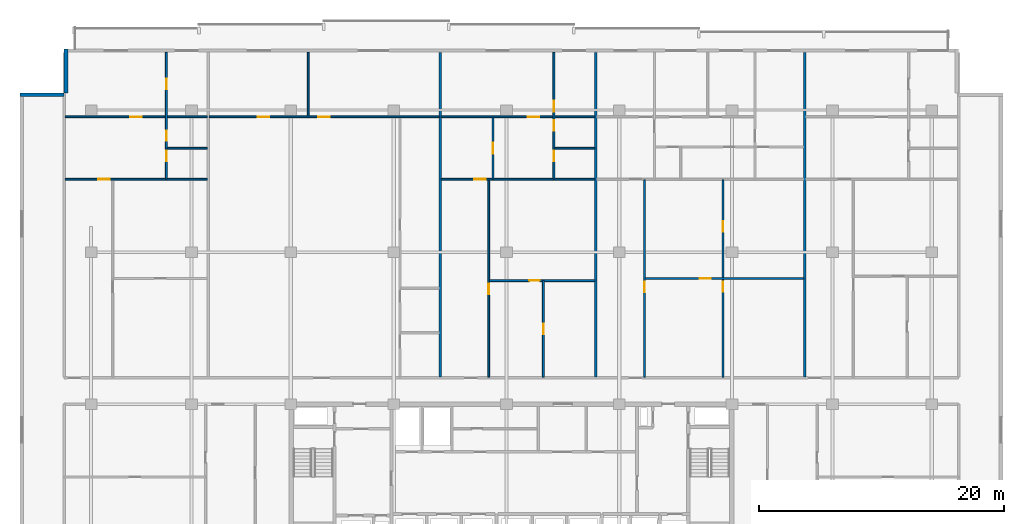
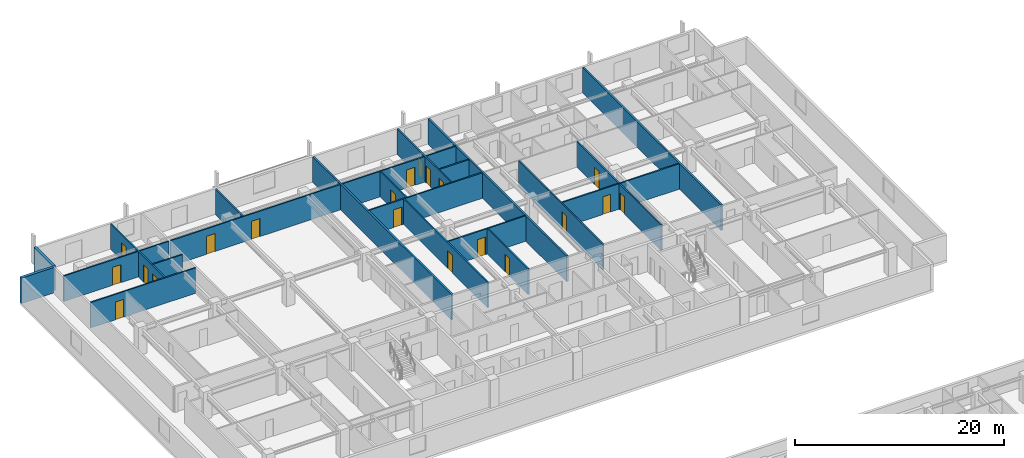
# One storey, part 14 of 22: 22 walls, 20 doors, 20 openings.
"""IFC4 building model written with IfcOpenShell, lengths in metres."""

from ifc_helpers import new_model, si_unit, direction, frame, frame_2d, origin, place, context, subcontext, project, spatial, rectangle, extrude, material, layer, layer_set, type_object, element, fill, save


model = new_model("IFC4")

# Units and contexts
model_context = context("Model", 3, precision=1e-05, world=origin(), true_north=direction((0.0, 1.0)))
body_context = subcontext(model_context, "Body", "Model", "MODEL_VIEW")
ifc_project = project(units=[si_unit("LENGTHUNIT", "METRE"), si_unit("AREAUNIT", "SQUARE_METRE"), si_unit("VOLUMEUNIT", "CUBIC_METRE"), si_unit("PLANEANGLEUNIT", "RADIAN"), si_unit("MASSUNIT", "GRAM", prefix="KILO")], contexts=[model_context])

# Site, building, storey
site_placement = place(None, origin())
site = spatial("IfcSite", under=ifc_project, at=site_placement, CompositionType="ELEMENT")
building_placement = place(site_placement, origin())
building = spatial("IfcBuilding", under=site, at=building_placement, Name="Korimba Cascade Residences", CompositionType="ELEMENT")
storey_placement = place(building_placement, frame((0.0, 0.0, 84.050048828125)))
storey = spatial("IfcBuildingStorey", under=building, at=storey_placement, Name="L23", CompositionType="ELEMENT", Elevation=84.050048828125)

# Walls
ifc_material_1 = material(Name="Precast concrete C40/50", Category="concrete")
ifc_layer_1 = layer(ifc_material_1, 0.300048828125)
ifc_layer_set_1 = layer_set([ifc_layer_1], Name="Precast concrete C40/50")
wall_type_1 = type_object("IfcWallType", Name="EW-STONE-300", PredefinedType="STANDARD", material=ifc_layer_set_1)
wall_1_placement = place(storey_placement, frame((57.75, 96.199951171875, 0.0), z_axis=(0.0, 0.0, 1.0), x_axis=(0.0, -1.0, 0.0)))
element("IfcWall", 1, at=wall_1_placement, inside=storey, type_object=wall_type_1, Name="L23 T1 Perimeter Stone Wall E07", PredefinedType="STANDARD", context=body_context, shape_type="SweptSolid", body=[
    extrude(rectangle(XDim=3.599853515625, YDim=0.300048828125, at=frame_2d((1.7998046875, 0.0))), origin(), (0.0, 0.0, 1.0), 2.969970703125),
])
wall_2_placement = place(storey_placement, frame((57.60009765625, 92.449951171875, 0.0), z_axis=(0.0, 0.0, 1.0), x_axis=(-1.0, 0.0, 0.0)))
element("IfcWall", 2, at=wall_2_placement, inside=storey, type_object=wall_type_1, Name="L23 T1 Perimeter Stone Wall E08", PredefinedType="STANDARD", context=body_context, shape_type="SweptSolid", body=[
    extrude(rectangle(XDim=3.60009765625, YDim=0.300048828125, at=frame_2d((1.800048828125, 0.0))), origin(), (0.0, 0.0, 1.0), 2.969970703125),
])
ifc_layer_2 = layer(ifc_material_1, 0.199951171875)
ifc_layer_set_2 = layer_set([ifc_layer_2], Name="Precast concrete C40/50")
wall_type_2 = type_object("IfcWallType", Name="WAL-IT-200", PredefinedType="PARTITIONING", material=ifc_layer_set_2)
for number, where, z_axis, x_axis, name in (
    (3, (88.28466796875, 69.429931640625, 0.0), (0.0, 0.0, 1.0), (0.0, 1.0, 0.0), "L23 Partition Wall WAL-L23-T1-DEM-2"),
    (4, (100.9873046875, 69.429931640625, 0.0), (0.0, 0.0, 1.0), (0.0, 1.0, 0.0), "L23 Partition Wall WAL-L23-T1-DEM-3"),
    (5, (118.033447265625, 69.429931640625, 0.0), (0.0, 0.0, 1.0), (0.0, 1.0, 0.0), "L23 Partition Wall WAL-L23-T1-DEM-4"),
):
    element("IfcWall", number, at=place(storey_placement, frame(where, z_axis=z_axis, x_axis=x_axis)), inside=storey, type_object=wall_type_2, Name=name, PredefinedType="PARTITIONING", context=body_context, shape_type="SweptSolid", body=[
        extrude(rectangle(XDim=26.469970703125, YDim=0.199951171875, at=frame_2d((13.23486328125, 0.0))), origin(), (0.0, 0.0, 1.0), 2.969970703125),
    ])
ifc_material_2 = material(Name="Insulated Acoustic Stud Partition", Category="gypsum")
ifc_layer_3 = layer(ifc_material_2, 0.14990234375)
ifc_layer_set_3 = layer_set([ifc_layer_3], Name="Insulated Acoustic Stud Partition")
wall_type_3 = type_object("IfcWallType", Name="WAL-PART-150", PredefinedType="PARTITIONING", material=ifc_layer_set_3)
wall_3_placement = place(storey_placement, frame((66.006591796875, 88.090087890625, 0.0), z_axis=(0.0, 0.0, 1.0), x_axis=(1.0, 0.0, 0.0)))
element("IfcWall", 6, at=wall_3_placement, inside=storey, type_object=wall_type_3, Name="L23 Partition Wall WAL-L23-T1-U01-BLDIV", PredefinedType="PARTITIONING", context=body_context, shape_type="SweptSolid", body=[
    extrude(rectangle(XDim=3.280029296875, YDim=0.14990234375, at=frame_2d((1.64013671875, 0.0))), origin(), (0.0, 0.0, 1.0), 2.969970703125),
])

# Wall, openings, doors
wall_4_placement = place(storey_placement, frame((65.94677734375, 85.590087890625, 0.0), z_axis=(0.0, 0.0, 1.0), x_axis=(0.0, 1.0, 0.0)))
wall_4 = element("IfcWall", 7, at=wall_4_placement, inside=storey, type_object=wall_type_3, Name="L23 Partition Wall WAL-L23-T1-U01-V1", PredefinedType="PARTITIONING", context=body_context, shape_type="SweptSolid", body=[
    extrude(rectangle(XDim=10.309814453125, YDim=0.14990234375, at=frame_2d((5.15478515625, 0.0))), origin(), (0.0, 0.0, 1.0), 2.969970703125),
])
opening_1_placement = place(wall_4_placement, frame((1.430419921875, 0.0, 0.0)))
opening_1 = element("IfcOpeningElement", 8, at=opening_1_placement, cuts=wall_4, Name="Opening D-BT1", PredefinedType="OPENING", context=body_context, shape_type="SweptSolid", body=[
    extrude(rectangle(XDim=0.840087890625, YDim=2.0400390625, at=frame_2d((0.419921875, 1.02001953125))), frame((0.0, 0.0849609375, 0.0), z_axis=(0.0, -1.0, 0.0), x_axis=(1.0, 0.0, 0.0)), (0.0, 0.0, 1.0), 0.169921875),
])
opening_2_placement = place(wall_4_placement, frame((3.1015625, 0.0, 0.0)))
opening_2 = element("IfcOpeningElement", 9, at=opening_2_placement, cuts=wall_4, Name="Opening D-BT1", PredefinedType="OPENING", context=body_context, shape_type="SweptSolid", body=[
    extrude(rectangle(XDim=0.840087890625, YDim=2.0400390625, at=frame_2d((0.419921875, 1.02001953125))), frame((0.0, 0.0849609375, 0.0), z_axis=(0.0, -1.0, 0.0), x_axis=(1.0, 0.0, 0.0)), (0.0, 0.0, 1.0), 0.169921875),
])
opening_3_placement = place(wall_4_placement, frame((7.28955078125, 0.0, 0.0)))
opening_3 = element("IfcOpeningElement", 10, at=opening_3_placement, cuts=wall_4, Name="Opening D-IN2", PredefinedType="OPENING", context=body_context, shape_type="SweptSolid", body=[
    extrude(rectangle(XDim=0.8798828125, YDim=2.06005859375, at=frame_2d((0.43994140625, 1.030029296875))), frame((0.0, 0.0849609375, 0.0), z_axis=(0.0, -1.0, 0.0), x_axis=(1.0, 0.0, 0.0)), (0.0, 0.0, 1.0), 0.169921875),
])
ifc_material_3 = material(Name="Moisture-Resistant Bathroom Timber Door", Category="wood")
door_type_1 = type_object("IfcDoorType", Name="DR-INT-850", OperationType="NOTDEFINED", PredefinedType="DOOR", material=ifc_material_3)
door_1_placement = place(opening_1_placement, origin())
door_1 = element("IfcDoor", 11, at=door_1_placement, inside=storey, type_object=door_type_1, Name="L23-T1-U01 Bathroom Door", OperationType="SINGLE_SWING_RIGHT", OverallHeight=2.0400390625, OverallWidth=0.840087890625, PredefinedType="DOOR", context=body_context, shape_type="SweptSolid", body=[
    extrude(rectangle(XDim=0.840087890625, YDim=2.0400390625, at=frame_2d((0.419921875, 1.02001953125))), frame((0.0, 0.02490234375, 0.0), z_axis=(0.0, -1.0, 0.0), x_axis=(1.0, 0.0, 0.0)), (0.0, 0.0, 1.0), 0.050048828125),
])
fill(opening_1, door_1)
door_2_placement = place(opening_2_placement, origin())
door_2 = element("IfcDoor", 12, at=door_2_placement, inside=storey, type_object=door_type_1, Name="L23-T1-U01 Laundry Door", OperationType="SINGLE_SWING_LEFT", OverallHeight=2.0400390625, OverallWidth=0.840087890625, PredefinedType="DOOR", context=body_context, shape_type="SweptSolid", body=[
    extrude(rectangle(XDim=0.840087890625, YDim=2.0400390625, at=frame_2d((0.419921875, 1.02001953125))), frame((0.0, 0.02490234375, 0.0), z_axis=(0.0, -1.0, 0.0), x_axis=(1.0, 0.0, 0.0)), (0.0, 0.0, 1.0), 0.050048828125),
])
fill(opening_2, door_2)
ifc_material_4 = material(Name="Acoustic Timber Bedroom Door", Category="wood")
door_type_2 = type_object("IfcDoorType", Name="DR-INT-880", OperationType="NOTDEFINED", PredefinedType="DOOR", material=ifc_material_4)
door_3_placement = place(opening_3_placement, origin())
door_3 = element("IfcDoor", 13, at=door_3_placement, inside=storey, type_object=door_type_2, Name="L23-T1-U01 Bedroom 1 Door", OperationType="SINGLE_SWING_RIGHT", OverallHeight=2.06005859375, OverallWidth=0.8798828125, PredefinedType="DOOR", context=body_context, shape_type="SweptSolid", body=[
    extrude(rectangle(XDim=0.8798828125, YDim=2.06005859375, at=frame_2d((0.43994140625, 1.030029296875))), frame((0.0, 0.02490234375, 0.0), z_axis=(0.0, -1.0, 0.0), x_axis=(1.0, 0.0, 0.0)), (0.0, 0.0, 1.0), 0.050048828125),
])
fill(opening_3, door_3)

# Wall, opening, door
wall_5_placement = place(storey_placement, frame((57.679931640625, 85.550048828125, 0.0), z_axis=(0.0, 0.0, 1.0), x_axis=(1.0, 0.0, 0.0)))
wall_5 = element("IfcWall", 14, at=wall_5_placement, inside=storey, type_object=wall_type_3, Name="L23 Partition Wall WAL-L23-T1-U01-MW", PredefinedType="PARTITIONING", context=body_context, shape_type="SweptSolid", body=[
    extrude(rectangle(XDim=11.606689453125, YDim=0.14990234375, at=frame_2d((5.80322265625, 0.0))), origin(), (0.0, 0.0, 1.0), 2.969970703125),
])
opening_4_placement = place(wall_5_placement, frame((2.719970703125, 0.0, 0.0)))
opening_4 = element("IfcOpeningElement", 15, at=opening_4_placement, cuts=wall_5, Name="Opening D-IN1", PredefinedType="OPENING", context=body_context, shape_type="SweptSolid", body=[
    extrude(rectangle(XDim=0.919921875, YDim=2.080078125, at=frame_2d((0.4599609375, 1.0400390625))), frame((0.0, 0.0849609375, 0.0), z_axis=(0.0, -1.0, 0.0), x_axis=(1.0, 0.0, 0.0)), (0.0, 0.0, 1.0), 0.169921875),
])
ifc_material_5 = material(Name="Acoustic Timber Living Door", Category="wood")
door_type_3 = type_object("IfcDoorType", Name="DR-INT-920", OperationType="NOTDEFINED", PredefinedType="DOOR", material=ifc_material_5)
door_4_placement = place(opening_4_placement, origin())
door_4 = element("IfcDoor", 16, at=door_4_placement, inside=storey, type_object=door_type_3, Name="L23-T1-U01 Kitchen Archway Door", OperationType="SINGLE_SWING_LEFT", OverallHeight=2.080078125, OverallWidth=0.919921875, PredefinedType="DOOR", context=body_context, shape_type="SweptSolid", body=[
    extrude(rectangle(XDim=0.919921875, YDim=2.080078125, at=frame_2d((0.4599609375, 1.0400390625))), frame((0.0, 0.02490234375, 0.0), z_axis=(0.0, -1.0, 0.0), x_axis=(1.0, 0.0, 0.0)), (0.0, 0.0, 1.0), 0.050048828125),
])
fill(opening_4, door_4)

wall_6_placement = place(storey_placement, frame((57.679931640625, 90.64990234375, 0.0), z_axis=(0.0, 0.0, 1.0), x_axis=(1.0, 0.0, 0.0)))
wall_6 = element("IfcWall", 17, at=wall_6_placement, inside=storey, type_object=wall_type_3, Name="L23 Partition Wall WAL-L23-T1-U01-HZ", PredefinedType="PARTITIONING", context=body_context, shape_type="SweptSolid", body=[
    extrude(rectangle(XDim=11.606689453125, YDim=0.14990234375, at=frame_2d((5.80322265625, 0.0))), origin(), (0.0, 0.0, 1.0), 2.969970703125),
])
opening_5_placement = place(wall_6_placement, frame((5.333251953125, 0.0, 0.0)))
opening_5 = element("IfcOpeningElement", 18, at=opening_5_placement, cuts=wall_6, Name="Opening D-IN0", PredefinedType="OPENING", context=body_context, shape_type="SweptSolid", body=[
    extrude(rectangle(XDim=0.93994140625, YDim=2.10009765625, at=frame_2d((0.469970703125, 1.050048828125))), frame((0.0, 0.0849609375, 0.0), z_axis=(0.0, -1.0, 0.0), x_axis=(1.0, 0.0, 0.0)), (0.0, 0.0, 1.0), 0.169921875),
])
ifc_material_6 = material(Name="Acoustic Timber Living Archway Door", Category="wood")
door_type_4 = type_object("IfcDoorType", Name="DR-INT-950", OperationType="NOTDEFINED", PredefinedType="DOOR", material=ifc_material_6)
door_5_placement = place(opening_5_placement, origin())
door_5 = element("IfcDoor", 19, at=door_5_placement, inside=storey, type_object=door_type_4, Name="L23-T1-U01 Living Archway Door", OperationType="SINGLE_SWING_RIGHT", OverallHeight=2.10009765625, OverallWidth=0.93994140625, PredefinedType="DOOR", context=body_context, shape_type="SweptSolid", body=[
    extrude(rectangle(XDim=0.93994140625, YDim=2.10009765625, at=frame_2d((0.469970703125, 1.050048828125))), frame((0.0, 0.02490234375, 0.0), z_axis=(0.0, -1.0, 0.0), x_axis=(1.0, 0.0, 0.0)), (0.0, 0.0, 1.0), 0.050048828125),
])
fill(opening_5, door_5)

# Wall
wall_7_placement = place(storey_placement, frame((77.520751953125, 90.72998046875, 0.0), z_axis=(0.0, 0.0, 1.0), x_axis=(0.0, 1.0, 0.0)))
element("IfcWall", 20, at=wall_7_placement, inside=storey, type_object=wall_type_3, Name="L23 Partition Wall WAL-L23-T1-U02-OUTV", PredefinedType="PARTITIONING", context=body_context, shape_type="SweptSolid", body=[
    extrude(rectangle(XDim=5.169921875, YDim=0.14990234375, at=frame_2d((2.5849609375, 0.0))), origin(), (0.0, 0.0, 1.0), 2.969970703125),
])

# Wall, openings, doors
wall_8_placement = place(storey_placement, frame((69.44677734375, 90.64990234375, 0.0), z_axis=(0.0, 0.0, 1.0), x_axis=(1.0, 0.0, 0.0)))
wall_8 = element("IfcWall", 21, at=wall_8_placement, inside=storey, type_object=wall_type_3, Name="L23 Partition Wall WAL-L23-T1-U02-HZ", PredefinedType="PARTITIONING", context=body_context, shape_type="SweptSolid", body=[
    extrude(rectangle(XDim=18.7578125, YDim=0.14990234375, at=frame_2d((9.37890625, 0.0))), origin(), (0.0, 0.0, 1.0), 2.969970703125),
])
opening_6_placement = place(wall_8_placement, frame((3.965087890625, 0.0, 0.0)))
opening_6 = element("IfcOpeningElement", 22, at=opening_6_placement, cuts=wall_8, Name="Opening D-IN0", PredefinedType="OPENING", context=body_context, shape_type="SweptSolid", body=[
    extrude(rectangle(XDim=0.93994140625, YDim=2.10009765625, at=frame_2d((0.469970703125, 1.050048828125))), frame((0.0, 0.0849609375, 0.0), z_axis=(0.0, -1.0, 0.0), x_axis=(1.0, 0.0, 0.0)), (0.0, 0.0, 1.0), 0.169921875),
])
opening_7_placement = place(wall_8_placement, frame((8.908935546875, 0.0, 0.0)))
opening_7 = element("IfcOpeningElement", 23, at=opening_7_placement, cuts=wall_8, Name="Opening D-IN0", PredefinedType="OPENING", context=body_context, shape_type="SweptSolid", body=[
    extrude(rectangle(XDim=0.93994140625, YDim=2.10009765625, at=frame_2d((0.469970703125, 1.050048828125))), frame((0.0, 0.0849609375, 0.0), z_axis=(0.0, -1.0, 0.0), x_axis=(1.0, 0.0, 0.0)), (0.0, 0.0, 1.0), 0.169921875),
])
door_6_placement = place(opening_6_placement, origin())
door_6 = element("IfcDoor", 24, at=door_6_placement, inside=storey, type_object=door_type_4, Name="L23-T1-U02 Resident Gourmet Market Door", OperationType="SINGLE_SWING_RIGHT", OverallHeight=2.10009765625, OverallWidth=0.93994140625, PredefinedType="DOOR", context=body_context, shape_type="SweptSolid", body=[
    extrude(rectangle(XDim=0.93994140625, YDim=2.10009765625, at=frame_2d((0.469970703125, 1.050048828125))), frame((0.0, 0.02490234375, 0.0), z_axis=(0.0, -1.0, 0.0), x_axis=(1.0, 0.0, 0.0)), (0.0, 0.0, 1.0), 0.050048828125),
])
fill(opening_6, door_6)
door_7_placement = place(opening_7_placement, origin())
door_7 = element("IfcDoor", 25, at=door_7_placement, inside=storey, type_object=door_type_4, Name="L23-T1-U02 Artisan Gallery Boutique Door", OperationType="SINGLE_SWING_LEFT", OverallHeight=2.10009765625, OverallWidth=0.93994140625, PredefinedType="DOOR", context=body_context, shape_type="SweptSolid", body=[
    extrude(rectangle(XDim=0.93994140625, YDim=2.10009765625, at=frame_2d((0.469970703125, 1.050048828125))), frame((0.0, 0.02490234375, 0.0), z_axis=(0.0, -1.0, 0.0), x_axis=(1.0, 0.0, 0.0)), (0.0, 0.0, 1.0), 0.050048828125),
])
fill(opening_7, door_7)

# Wall, opening, door
wall_9_placement = place(storey_placement, frame((96.7109375, 69.409912109375, 0.0), z_axis=(0.0, 0.0, 1.0), x_axis=(0.0, 1.0, 0.0)))
wall_9 = element("IfcWall", 26, at=wall_9_placement, inside=storey, type_object=wall_type_3, Name="L23 Partition Wall WAL-L23-T1-U03-FMV", PredefinedType="PARTITIONING", context=body_context, shape_type="SweptSolid", body=[
    extrude(rectangle(XDim=7.8701171875, YDim=0.14990234375, at=frame_2d((3.93505859375, 0.0))), origin(), (0.0, 0.0, 1.0), 2.969970703125),
])
opening_8_placement = place(wall_9_placement, frame((3.514892578125, 0.0, 0.0)))
opening_8 = element("IfcOpeningElement", 27, at=opening_8_placement, cuts=wall_9, Name="Opening D-BT1", PredefinedType="OPENING", context=body_context, shape_type="SweptSolid", body=[
    extrude(rectangle(XDim=0.840087890625, YDim=2.0400390625, at=frame_2d((0.419921875, 1.02001953125))), frame((0.0, 0.0849609375, 0.0), z_axis=(0.0, -1.0, 0.0), x_axis=(1.0, 0.0, 0.0)), (0.0, 0.0, 1.0), 0.169921875),
])
door_8_placement = place(opening_8_placement, origin())
door_8 = element("IfcDoor", 28, at=door_8_placement, inside=storey, type_object=door_type_1, Name="L23-T1-U03 Wardrobe Door", OperationType="SINGLE_SWING_RIGHT", OverallHeight=2.0400390625, OverallWidth=0.840087890625, PredefinedType="DOOR", context=body_context, shape_type="SweptSolid", body=[
    extrude(rectangle(XDim=0.840087890625, YDim=2.0400390625, at=frame_2d((0.419921875, 1.02001953125))), frame((0.0, 0.02490234375, 0.0), z_axis=(0.0, -1.0, 0.0), x_axis=(1.0, 0.0, 0.0)), (0.0, 0.0, 1.0), 0.050048828125),
])
fill(opening_8, door_8)

wall_10_placement = place(storey_placement, frame((92.314697265625, 77.280029296875, 0.0), z_axis=(0.0, 0.0, 1.0), x_axis=(1.0, 0.0, 0.0)))
wall_10 = element("IfcWall", 29, at=wall_10_placement, inside=storey, type_object=wall_type_3, Name="L23 Partition Wall WAL-L23-T1-U03-FMH", PredefinedType="PARTITIONING", context=body_context, shape_type="SweptSolid", body=[
    extrude(rectangle(XDim=8.592529296875, YDim=0.14990234375, at=frame_2d((4.29638671875, 0.0))), origin(), (0.0, 0.0, 1.0), 2.969970703125),
])
opening_9_placement = place(wall_10_placement, frame((3.2373046875, 0.0, 0.0)))
opening_9 = element("IfcOpeningElement", 30, at=opening_9_placement, cuts=wall_10, Name="Opening D-IN2", PredefinedType="OPENING", context=body_context, shape_type="SweptSolid", body=[
    extrude(rectangle(XDim=0.8798828125, YDim=2.06005859375, at=frame_2d((0.43994140625, 1.030029296875))), frame((0.0, 0.0849609375, 0.0), z_axis=(0.0, -1.0, 0.0), x_axis=(1.0, 0.0, 0.0)), (0.0, 0.0, 1.0), 0.169921875),
])
door_9_placement = place(opening_9_placement, origin())
door_9 = element("IfcDoor", 31, at=door_9_placement, inside=storey, type_object=door_type_2, Name="L23-T1-U03 Library Salon Door", OperationType="SINGLE_SWING_LEFT", OverallHeight=2.06005859375, OverallWidth=0.8798828125, PredefinedType="DOOR", context=body_context, shape_type="SweptSolid", body=[
    extrude(rectangle(XDim=0.8798828125, YDim=2.06005859375, at=frame_2d((0.43994140625, 1.030029296875))), frame((0.0, 0.02490234375, 0.0), z_axis=(0.0, -1.0, 0.0), x_axis=(1.0, 0.0, 0.0)), (0.0, 0.0, 1.0), 0.050048828125),
])
fill(opening_9, door_9)

wall_11_placement = place(storey_placement, frame((92.254638671875, 69.409912109375, 0.0), z_axis=(0.0, 0.0, 1.0), x_axis=(0.0, 1.0, 0.0)))
wall_11 = element("IfcWall", 32, at=wall_11_placement, inside=storey, type_object=wall_type_3, Name="L23 Partition Wall WAL-L23-T1-U03-FV", PredefinedType="PARTITIONING", context=body_context, shape_type="SweptSolid", body=[
    extrude(rectangle(XDim=16.10009765625, YDim=0.14990234375, at=frame_2d((8.050048828125, 0.0))), origin(), (0.0, 0.0, 1.0), 2.969970703125),
])
opening_10_placement = place(wall_11_placement, frame((6.739990234375, 0.0, 0.0)))
opening_10 = element("IfcOpeningElement", 33, at=opening_10_placement, cuts=wall_11, Name="Opening D-IN2", PredefinedType="OPENING", context=body_context, shape_type="SweptSolid", body=[
    extrude(rectangle(XDim=0.8798828125, YDim=2.06005859375, at=frame_2d((0.43994140625, 1.030029296875))), frame((0.0, 0.0849609375, 0.0), z_axis=(0.0, -1.0, 0.0), x_axis=(1.0, 0.0, 0.0)), (0.0, 0.0, 1.0), 0.169921875),
])
door_10_placement = place(opening_10_placement, origin())
door_10 = element("IfcDoor", 34, at=door_10_placement, inside=storey, type_object=door_type_2, Name="L23-T1-U03 Media Lounge Door", OperationType="SINGLE_SWING_RIGHT", OverallHeight=2.06005859375, OverallWidth=0.8798828125, PredefinedType="DOOR", context=body_context, shape_type="SweptSolid", body=[
    extrude(rectangle(XDim=0.8798828125, YDim=2.06005859375, at=frame_2d((0.43994140625, 1.030029296875))), frame((0.0, 0.02490234375, 0.0), z_axis=(0.0, -1.0, 0.0), x_axis=(1.0, 0.0, 0.0)), (0.0, 0.0, 1.0), 0.050048828125),
])
fill(opening_10, door_10)

wall_12_placement = place(storey_placement, frame((92.6044921875, 85.590087890625, 0.0), z_axis=(0.0, 0.0, 1.0), x_axis=(0.0, 1.0, 0.0)))
wall_12 = element("IfcWall", 35, at=wall_12_placement, inside=storey, type_object=wall_type_3, Name="L23 Partition Wall WAL-L23-T1-U03-VDIN", PredefinedType="PARTITIONING", context=body_context, shape_type="SweptSolid", body=[
    extrude(rectangle(XDim=5.0, YDim=0.14990234375, at=frame_2d((2.5, 0.0))), origin(), (0.0, 0.0, 1.0), 2.969970703125),
])
opening_11_placement = place(wall_12_placement, frame((2.06005859375, 0.0, 0.0)))
opening_11 = element("IfcOpeningElement", 36, at=opening_11_placement, cuts=wall_12, Name="Opening D-IN2", PredefinedType="OPENING", context=body_context, shape_type="SweptSolid", body=[
    extrude(rectangle(XDim=0.8798828125, YDim=2.06005859375, at=frame_2d((0.43994140625, 1.030029296875))), frame((0.0, 0.0849609375, 0.0), z_axis=(0.0, -1.0, 0.0), x_axis=(1.0, 0.0, 0.0)), (0.0, 0.0, 1.0), 0.169921875),
])
door_11_placement = place(opening_11_placement, origin())
door_11 = element("IfcDoor", 37, at=door_11_placement, inside=storey, type_object=door_type_2, Name="L23-T1-U03 Dining Room Door", OperationType="SINGLE_SWING_LEFT", OverallHeight=2.06005859375, OverallWidth=0.8798828125, PredefinedType="DOOR", context=body_context, shape_type="SweptSolid", body=[
    extrude(rectangle(XDim=0.8798828125, YDim=2.06005859375, at=frame_2d((0.43994140625, 1.030029296875))), frame((0.0, 0.02490234375, 0.0), z_axis=(0.0, -1.0, 0.0), x_axis=(1.0, 0.0, 0.0)), (0.0, 0.0, 1.0), 0.050048828125),
])
fill(opening_11, door_11)

# Wall
wall_13_placement = place(storey_placement, frame((97.627197265625, 88.090087890625, 0.0), z_axis=(0.0, 0.0, 1.0), x_axis=(1.0, 0.0, 0.0)))
element("IfcWall", 38, at=wall_13_placement, inside=storey, type_object=wall_type_3, Name="L23 Partition Wall WAL-L23-T1-U03-BLDIV", PredefinedType="PARTITIONING", context=body_context, shape_type="SweptSolid", body=[
    extrude(rectangle(XDim=3.280029296875, YDim=0.14990234375, at=frame_2d((1.64013671875, 0.0))), origin(), (0.0, 0.0, 1.0), 2.969970703125),
])

# Wall, openings, doors
wall_14_placement = place(storey_placement, frame((97.567138671875, 85.590087890625, 0.0), z_axis=(0.0, 0.0, 1.0), x_axis=(0.0, 1.0, 0.0)))
wall_14 = element("IfcWall", 39, at=wall_14_placement, inside=storey, type_object=wall_type_3, Name="L23 Partition Wall WAL-L23-T1-U03-V1", PredefinedType="PARTITIONING", context=body_context, shape_type="SweptSolid", body=[
    extrude(rectangle(XDim=10.309814453125, YDim=0.14990234375, at=frame_2d((5.15478515625, 0.0))), origin(), (0.0, 0.0, 1.0), 2.969970703125),
])
opening_12_placement = place(wall_14_placement, frame((1.430419921875, 0.0, 0.0)))
opening_12 = element("IfcOpeningElement", 40, at=opening_12_placement, cuts=wall_14, Name="Opening D-BT1", PredefinedType="OPENING", context=body_context, shape_type="SweptSolid", body=[
    extrude(rectangle(XDim=0.840087890625, YDim=2.0400390625, at=frame_2d((0.419921875, 1.02001953125))), frame((0.0, 0.0849609375, 0.0), z_axis=(0.0, -1.0, 0.0), x_axis=(1.0, 0.0, 0.0)), (0.0, 0.0, 1.0), 0.169921875),
])
opening_13_placement = place(wall_14_placement, frame((3.919921875, 0.0, 0.0)))
opening_13 = element("IfcOpeningElement", 41, at=opening_13_placement, cuts=wall_14, Name="Opening D-BT1", PredefinedType="OPENING", context=body_context, shape_type="SweptSolid", body=[
    extrude(rectangle(XDim=0.840087890625, YDim=2.0400390625, at=frame_2d((0.419921875, 1.02001953125))), frame((0.0, 0.0849609375, 0.0), z_axis=(0.0, -1.0, 0.0), x_axis=(1.0, 0.0, 0.0)), (0.0, 0.0, 1.0), 0.169921875),
])
opening_14_placement = place(wall_14_placement, frame((5.47998046875, 0.0, 0.0)))
opening_14 = element("IfcOpeningElement", 42, at=opening_14_placement, cuts=wall_14, Name="Opening D-IN2", PredefinedType="OPENING", context=body_context, shape_type="SweptSolid", body=[
    extrude(rectangle(XDim=0.8798828125, YDim=2.06005859375, at=frame_2d((0.43994140625, 1.030029296875))), frame((0.0, 0.0849609375, 0.0), z_axis=(0.0, -1.0, 0.0), x_axis=(1.0, 0.0, 0.0)), (0.0, 0.0, 1.0), 0.169921875),
])
door_12_placement = place(opening_12_placement, origin())
door_12 = element("IfcDoor", 43, at=door_12_placement, inside=storey, type_object=door_type_1, Name="L23-T1-U03 Bathroom Door", OperationType="SINGLE_SWING_RIGHT", OverallHeight=2.0400390625, OverallWidth=0.840087890625, PredefinedType="DOOR", context=body_context, shape_type="SweptSolid", body=[
    extrude(rectangle(XDim=0.840087890625, YDim=2.0400390625, at=frame_2d((0.419921875, 1.02001953125))), frame((0.0, 0.02490234375, 0.0), z_axis=(0.0, -1.0, 0.0), x_axis=(1.0, 0.0, 0.0)), (0.0, 0.0, 1.0), 0.050048828125),
])
fill(opening_12, door_12)
door_13_placement = place(opening_13_placement, origin())
door_13 = element("IfcDoor", 44, at=door_13_placement, inside=storey, type_object=door_type_1, Name="L23-T1-U03 Laundry Door", OperationType="SINGLE_SWING_LEFT", OverallHeight=2.0400390625, OverallWidth=0.840087890625, PredefinedType="DOOR", context=body_context, shape_type="SweptSolid", body=[
    extrude(rectangle(XDim=0.840087890625, YDim=2.0400390625, at=frame_2d((0.419921875, 1.02001953125))), frame((0.0, 0.02490234375, 0.0), z_axis=(0.0, -1.0, 0.0), x_axis=(1.0, 0.0, 0.0)), (0.0, 0.0, 1.0), 0.050048828125),
])
fill(opening_13, door_13)
door_14_placement = place(opening_14_placement, origin())
door_14 = element("IfcDoor", 45, at=door_14_placement, inside=storey, type_object=door_type_2, Name="L23-T1-U03 Bedroom 1 Door", OperationType="SINGLE_SWING_RIGHT", OverallHeight=2.06005859375, OverallWidth=0.8798828125, PredefinedType="DOOR", context=body_context, shape_type="SweptSolid", body=[
    extrude(rectangle(XDim=0.8798828125, YDim=2.06005859375, at=frame_2d((0.43994140625, 1.030029296875))), frame((0.0, 0.02490234375, 0.0), z_axis=(0.0, -1.0, 0.0), x_axis=(1.0, 0.0, 0.0)), (0.0, 0.0, 1.0), 0.050048828125),
])
fill(opening_14, door_14)

# Wall, opening, door
wall_15_placement = place(storey_placement, frame((88.364501953125, 85.550048828125, 0.0), z_axis=(0.0, 0.0, 1.0), x_axis=(1.0, 0.0, 0.0)))
wall_15 = element("IfcWall", 46, at=wall_15_placement, inside=storey, type_object=wall_type_3, Name="L23 Partition Wall WAL-L23-T1-U03-MW", PredefinedType="PARTITIONING", context=body_context, shape_type="SweptSolid", body=[
    extrude(rectangle(XDim=12.542724609375, YDim=0.14990234375, at=frame_2d((6.271484375, 0.0))), origin(), (0.0, 0.0, 1.0), 2.969970703125),
])
opening_15_placement = place(wall_15_placement, frame((2.719970703125, 0.0, 0.0)))
opening_15 = element("IfcOpeningElement", 47, at=opening_15_placement, cuts=wall_15, Name="Opening D-IN1", PredefinedType="OPENING", context=body_context, shape_type="SweptSolid", body=[
    extrude(rectangle(XDim=0.919921875, YDim=2.080078125, at=frame_2d((0.4599609375, 1.0400390625))), frame((0.0, 0.0849609375, 0.0), z_axis=(0.0, -1.0, 0.0), x_axis=(1.0, 0.0, 0.0)), (0.0, 0.0, 1.0), 0.169921875),
])
door_15_placement = place(opening_15_placement, origin())
door_15 = element("IfcDoor", 48, at=door_15_placement, inside=storey, type_object=door_type_3, Name="L23-T1-U03 Kitchen Archway Door", OperationType="SINGLE_SWING_LEFT", OverallHeight=2.080078125, OverallWidth=0.919921875, PredefinedType="DOOR", context=body_context, shape_type="SweptSolid", body=[
    extrude(rectangle(XDim=0.919921875, YDim=2.080078125, at=frame_2d((0.4599609375, 1.0400390625))), frame((0.0, 0.02490234375, 0.0), z_axis=(0.0, -1.0, 0.0), x_axis=(1.0, 0.0, 0.0)), (0.0, 0.0, 1.0), 0.050048828125),
])
fill(opening_15, door_15)

wall_16_placement = place(storey_placement, frame((88.364501953125, 90.64990234375, 0.0), z_axis=(0.0, 0.0, 1.0), x_axis=(1.0, 0.0, 0.0)))
wall_16 = element("IfcWall", 49, at=wall_16_placement, inside=storey, type_object=wall_type_3, Name="L23 Partition Wall WAL-L23-T1-U03-HZ", PredefinedType="PARTITIONING", context=body_context, shape_type="SweptSolid", body=[
    extrude(rectangle(XDim=12.542724609375, YDim=0.14990234375, at=frame_2d((6.271484375, 0.0))), origin(), (0.0, 0.0, 1.0), 2.969970703125),
])
opening_16_placement = place(wall_16_placement, frame((7.0810546875, 0.0, 0.0)))
opening_16 = element("IfcOpeningElement", 50, at=opening_16_placement, cuts=wall_16, Name="Opening D-IN0", PredefinedType="OPENING", context=body_context, shape_type="SweptSolid", body=[
    extrude(rectangle(XDim=0.93994140625, YDim=2.10009765625, at=frame_2d((0.469970703125, 1.050048828125))), frame((0.0, 0.0849609375, 0.0), z_axis=(0.0, -1.0, 0.0), x_axis=(1.0, 0.0, 0.0)), (0.0, 0.0, 1.0), 0.169921875),
])
door_16_placement = place(opening_16_placement, origin())
door_16 = element("IfcDoor", 51, at=door_16_placement, inside=storey, type_object=door_type_4, Name="L23-T1-U03 Living Archway Door", OperationType="SINGLE_SWING_RIGHT", OverallHeight=2.10009765625, OverallWidth=0.93994140625, PredefinedType="DOOR", context=body_context, shape_type="SweptSolid", body=[
    extrude(rectangle(XDim=0.93994140625, YDim=2.10009765625, at=frame_2d((0.469970703125, 1.050048828125))), frame((0.0, 0.02490234375, 0.0), z_axis=(0.0, -1.0, 0.0), x_axis=(1.0, 0.0, 0.0)), (0.0, 0.0, 1.0), 0.050048828125),
])
fill(opening_16, door_16)

# Wall, openings, doors
wall_17_placement = place(storey_placement, frame((111.365234375, 69.409912109375, 0.0), z_axis=(0.0, 0.0, 1.0), x_axis=(0.0, 1.0, 0.0)))
wall_17 = element("IfcWall", 52, at=wall_17_placement, inside=storey, type_object=wall_type_3, Name="L23 Partition Wall WAL-L23-T1-U04-FMV", PredefinedType="PARTITIONING", context=body_context, shape_type="SweptSolid", body=[
    extrude(rectangle(XDim=16.10009765625, YDim=0.14990234375, at=frame_2d((8.050048828125, 0.0))), origin(), (0.0, 0.0, 1.0), 2.969970703125),
])
opening_17_placement = place(wall_17_placement, frame((6.9599609375, 0.0, 0.0)))
opening_17 = element("IfcOpeningElement", 53, at=opening_17_placement, cuts=wall_17, Name="Opening D-BT1", PredefinedType="OPENING", context=body_context, shape_type="SweptSolid", body=[
    extrude(rectangle(XDim=0.840087890625, YDim=2.0400390625, at=frame_2d((0.419921875, 1.02001953125))), frame((0.0, 0.0849609375, 0.0), z_axis=(0.0, -1.0, 0.0), x_axis=(1.0, 0.0, 0.0)), (0.0, 0.0, 1.0), 0.169921875),
])
opening_18_placement = place(wall_17_placement, frame((11.847900390625, 0.0, 0.0)))
opening_18 = element("IfcOpeningElement", 54, at=opening_18_placement, cuts=wall_17, Name="Opening D-IN2", PredefinedType="OPENING", context=body_context, shape_type="SweptSolid", body=[
    extrude(rectangle(XDim=0.8798828125, YDim=2.06005859375, at=frame_2d((0.43994140625, 1.030029296875))), frame((0.0, 0.0849609375, 0.0), z_axis=(0.0, -1.0, 0.0), x_axis=(1.0, 0.0, 0.0)), (0.0, 0.0, 1.0), 0.169921875),
])
door_17_placement = place(opening_17_placement, origin())
door_17 = element("IfcDoor", 55, at=door_17_placement, inside=storey, type_object=door_type_1, Name="L23-T1-U04 Wardrobe Door", OperationType="SINGLE_SWING_LEFT", OverallHeight=2.0400390625, OverallWidth=0.840087890625, PredefinedType="DOOR", context=body_context, shape_type="SweptSolid", body=[
    extrude(rectangle(XDim=0.840087890625, YDim=2.0400390625, at=frame_2d((0.419921875, 1.02001953125))), frame((0.0, 0.02490234375, 0.0), z_axis=(0.0, -1.0, 0.0), x_axis=(1.0, 0.0, 0.0)), (0.0, 0.0, 1.0), 0.050048828125),
])
fill(opening_17, door_17)
door_18_placement = place(opening_18_placement, origin())
door_18 = element("IfcDoor", 56, at=door_18_placement, inside=storey, type_object=door_type_2, Name="L23-T1-U04 Music Lounge Door", OperationType="SINGLE_SWING_RIGHT", OverallHeight=2.06005859375, OverallWidth=0.8798828125, PredefinedType="DOOR", context=body_context, shape_type="SweptSolid", body=[
    extrude(rectangle(XDim=0.8798828125, YDim=2.06005859375, at=frame_2d((0.43994140625, 1.030029296875))), frame((0.0, 0.02490234375, 0.0), z_axis=(0.0, -1.0, 0.0), x_axis=(1.0, 0.0, 0.0)), (0.0, 0.0, 1.0), 0.050048828125),
])
fill(opening_18, door_18)

# Wall, opening, door
wall_18_placement = place(storey_placement, frame((105.01708984375, 77.4599609375, 0.0), z_axis=(0.0, 0.0, 1.0), x_axis=(1.0, 0.0, 0.0)))
wall_18 = element("IfcWall", 57, at=wall_18_placement, inside=storey, type_object=wall_type_3, Name="L23 Partition Wall WAL-L23-T1-U04-FMH", PredefinedType="PARTITIONING", context=body_context, shape_type="SweptSolid", body=[
    extrude(rectangle(XDim=12.936279296875, YDim=0.14990234375, at=frame_2d((6.46826171875, 0.0))), origin(), (0.0, 0.0, 1.0), 2.969970703125),
])
opening_19_placement = place(wall_18_placement, frame((4.46435546875, 0.0, 0.0)))
opening_19 = element("IfcOpeningElement", 58, at=opening_19_placement, cuts=wall_18, Name="Opening D-IN2", PredefinedType="OPENING", context=body_context, shape_type="SweptSolid", body=[
    extrude(rectangle(XDim=0.8798828125, YDim=2.06005859375, at=frame_2d((0.43994140625, 1.030029296875))), frame((0.0, 0.0849609375, 0.0), z_axis=(0.0, -1.0, 0.0), x_axis=(1.0, 0.0, 0.0)), (0.0, 0.0, 1.0), 0.169921875),
])
door_19_placement = place(opening_19_placement, origin())
door_19 = element("IfcDoor", 59, at=door_19_placement, inside=storey, type_object=door_type_2, Name="L23-T1-U04 Library Salon Door", OperationType="SINGLE_SWING_LEFT", OverallHeight=2.06005859375, OverallWidth=0.8798828125, PredefinedType="DOOR", context=body_context, shape_type="SweptSolid", body=[
    extrude(rectangle(XDim=0.8798828125, YDim=2.06005859375, at=frame_2d((0.43994140625, 1.030029296875))), frame((0.0, 0.02490234375, 0.0), z_axis=(0.0, -1.0, 0.0), x_axis=(1.0, 0.0, 0.0)), (0.0, 0.0, 1.0), 0.050048828125),
])
fill(opening_19, door_19)

wall_19_placement = place(storey_placement, frame((104.957275390625, 69.409912109375, 0.0), z_axis=(0.0, 0.0, 1.0), x_axis=(0.0, 1.0, 0.0)))
wall_19 = element("IfcWall", 60, at=wall_19_placement, inside=storey, type_object=wall_type_3, Name="L23 Partition Wall WAL-L23-T1-U04-FV", PredefinedType="PARTITIONING", context=body_context, shape_type="SweptSolid", body=[
    extrude(rectangle(XDim=16.10009765625, YDim=0.14990234375, at=frame_2d((8.050048828125, 0.0))), origin(), (0.0, 0.0, 1.0), 2.969970703125),
])
opening_20_placement = place(wall_19_placement, frame((6.919921875, 0.0, 0.0)))
opening_20 = element("IfcOpeningElement", 61, at=opening_20_placement, cuts=wall_19, Name="Opening D-IN2", PredefinedType="OPENING", context=body_context, shape_type="SweptSolid", body=[
    extrude(rectangle(XDim=0.8798828125, YDim=2.06005859375, at=frame_2d((0.43994140625, 1.030029296875))), frame((0.0, 0.0849609375, 0.0), z_axis=(0.0, -1.0, 0.0), x_axis=(1.0, 0.0, 0.0)), (0.0, 0.0, 1.0), 0.169921875),
])
door_20_placement = place(opening_20_placement, origin())
door_20 = element("IfcDoor", 62, at=door_20_placement, inside=storey, type_object=door_type_2, Name="L23-T1-U04 Media Lounge Door", OperationType="SINGLE_SWING_RIGHT", OverallHeight=2.06005859375, OverallWidth=0.8798828125, PredefinedType="DOOR", context=body_context, shape_type="SweptSolid", body=[
    extrude(rectangle(XDim=0.8798828125, YDim=2.06005859375, at=frame_2d((0.43994140625, 1.030029296875))), frame((0.0, 0.02490234375, 0.0), z_axis=(0.0, -1.0, 0.0), x_axis=(1.0, 0.0, 0.0)), (0.0, 0.0, 1.0), 0.050048828125),
])
fill(opening_20, door_20)

save(model, "model.ifc")
